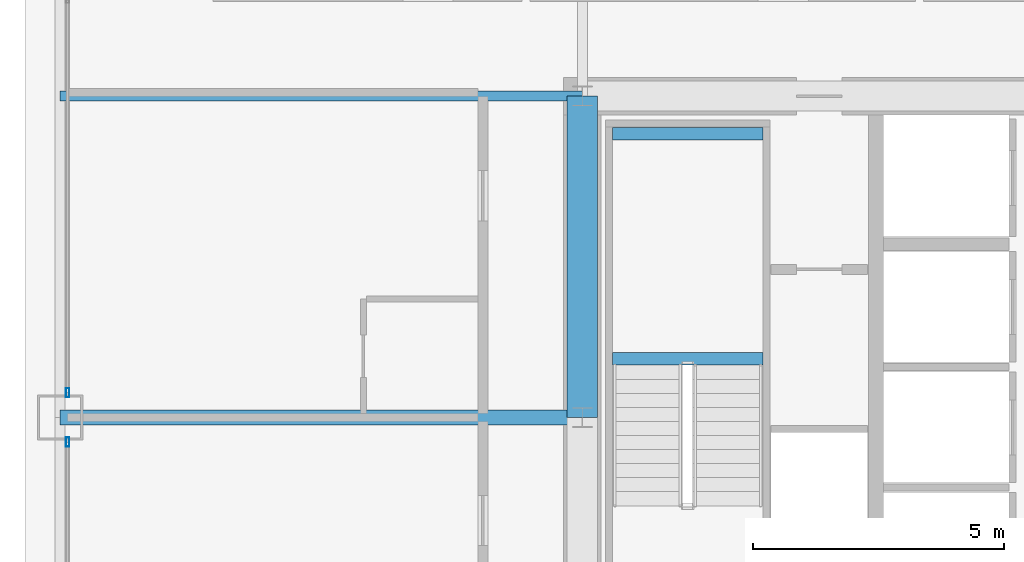
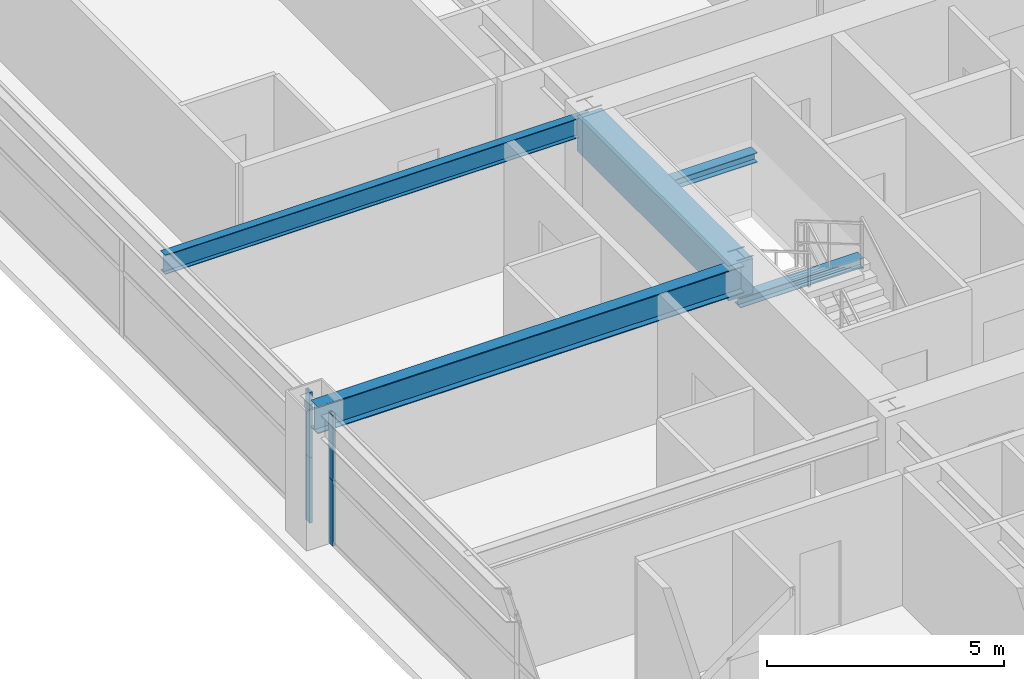
# One storey, part 12 of 43: 5 beams, 4 members, 2 elements without a shape of their own.
"""IFC4 building model written with IfcOpenShell, lengths in metres."""

from ifc_helpers import new_model, si_unit, direction, frame, origin, origin_2d, place, context, subcontext, project, spatial, rectangle, hollow_rectangle, i_section, extrude, source, transform, mapped, material, layer, layer_set, material_profile, profile_set, type_object, element, aggregate, save


model = new_model("IFC4")

# Units and contexts
model_context = context("Model", 3, precision=1e-05, world=origin(), true_north=direction((0.0, 1.0)))
body_context = subcontext(model_context, "Body", "Model", "MODEL_VIEW")
ifc_project = project(units=[si_unit("LENGTHUNIT", "METRE"), si_unit("AREAUNIT", "SQUARE_METRE"), si_unit("VOLUMEUNIT", "CUBIC_METRE"), si_unit("PLANEANGLEUNIT", "RADIAN"), si_unit("MASSUNIT", "GRAM", prefix="KILO"), si_unit("THERMODYNAMICTEMPERATUREUNIT", "KELVIN"), si_unit("POWERUNIT", "WATT")], contexts=[model_context])

# Site, building, storey
site_placement = place(None, origin())
site = spatial("IfcSite", under=ifc_project, at=site_placement, CompositionType="ELEMENT")
building_placement = place(site_placement, origin())
building = spatial("IfcBuilding", under=site, at=building_placement, Name="Yuzanri Waterfront Tower", CompositionType="ELEMENT")
storey_placement = place(building_placement, frame((0.0, 0.0, 159.60009765625)))
storey = spatial("IfcBuildingStorey", under=building, at=storey_placement, Name="L42", CompositionType="ELEMENT", Elevation=159.60009765625)

# Beams
ifc_material_1 = material(Name="Concrete C60", Category="concrete")
ifc_material_profile_1 = material_profile(ifc_material_1, rectangle(XDim=0.60009765625, YDim=0.89990234375, at=origin_2d()), Name="RC 600x900")
ifc_profile_set_1 = profile_set([ifc_material_profile_1], Name="Concrete C60")
beam_type_1 = type_object("IfcBeamType", Name="Core Coupling Lintel Concrete C60 600x900", PredefinedType="LINTEL", material=ifc_profile_set_1)
shared_shape_1 = source(origin(), body_context, "Body", "SweptSolid", [
    extrude(rectangle(XDim=0.60009765625, YDim=0.89990234375, at=origin_2d()), origin(), (0.0, 0.0, 1.0), 6.39990234375),
])
beam_1_placement = place(storey_placement, frame((23.800048828125, 25.800048828125, 2.929931640625), z_axis=(0.0, 1.0, 0.0), x_axis=(-1.0, 0.0, 0.0)))
element("IfcBeam", 1, at=beam_1_placement, inside=storey, type_object=beam_type_1, Name="L42 Core Tie Beam CW2", PredefinedType="LINTEL", context=body_context, shape_type="MappedRepresentation", body=[
    mapped(shared_shape_1, transform((0.0, 0.0, 0.0), scale=1.0)),
])
ifc_material_2 = material(Name="Steel Q355B", Category="steel")
ifc_material_profile_2 = material_profile(ifc_material_2, i_section(OverallWidth=0.300048828125, OverallDepth=0.699951171875, WebThickness=0.012939453125, FlangeThickness=0.02392578125, at=origin_2d()), Name="HN 700x300x13x24")
ifc_profile_set_2 = profile_set([ifc_material_profile_2], Name="Steel Q355B")
beam_type_2 = type_object("IfcBeamType", Name="Primary Floor Girder Q355B HN 700x300", PredefinedType="BEAM", material=ifc_profile_set_2)
shared_shape_2 = source(origin(), body_context, "Body", "SweptSolid", [
    extrude(i_section(OverallWidth=0.300048828125, OverallDepth=0.699951171875, WebThickness=0.012939453125, FlangeThickness=0.02392578125, at=origin_2d()), origin(), (0.0, 0.0, 1.0), 10.400146484375),
])
beam_2_placement = place(storey_placement, frame((23.800048828125, 25.800048828125, 3.02978515625), z_axis=(-1.0, 0.0, 0.0), x_axis=(0.0, -1.0, 0.0)))
element("IfcBeam", 2, at=beam_2_placement, inside=storey, type_object=beam_type_2, Name="L42 West Grid Girder", PredefinedType="BEAM", context=body_context, shape_type="MappedRepresentation", body=[
    mapped(shared_shape_2, transform((0.0, 0.0, 0.0), scale=1.0)),
])
ifc_material_3 = material(Name="Steel Q355B", Category="steel")
ifc_material_profile_3 = material_profile(ifc_material_3, i_section(OverallWidth=0.199951171875, OverallDepth=0.5, WebThickness=0.010009765625, FlangeThickness=0.01611328125, at=origin_2d()), Name="HN 500x200x10x16")
ifc_profile_set_3 = profile_set([ifc_material_profile_3], Name="Steel Q355B")
beam_type_3 = type_object("IfcBeamType", Name="Secondary Floor Beam Q355B HN 500x200", PredefinedType="BEAM", material=ifc_profile_set_3)
shared_shape_3 = source(origin(), body_context, "Body", "SweptSolid", [
    extrude(i_section(OverallWidth=0.199951171875, OverallDepth=0.5, WebThickness=0.010009765625, FlangeThickness=0.01611328125, at=origin_2d()), origin(), (0.0, 0.0, 1.0), 10.400146484375),
])
beam_3_placement = place(storey_placement, frame((23.800048828125, 32.199951171875, 3.1298828125), z_axis=(-1.0, 0.0, 0.0), x_axis=(0.0, -1.0, 0.0)))
element("IfcBeam", 3, at=beam_3_placement, inside=storey, type_object=beam_type_3, Name="L42 West-North Core Line Beam", PredefinedType="BEAM", context=body_context, shape_type="MappedRepresentation", body=[
    mapped(shared_shape_3, transform((0.0, 0.0, 0.0), scale=1.0)),
])

# Curtain wall, members
ifc_material_4 = material(Name="Anodized Architectural Bronze", Category="metal")
ifc_layer = layer(ifc_material_4, 0.159912109375)
ifc_layer_set = layer_set([ifc_layer], Name="Anodized Architectural Bronze")
curtain_wall_type = type_object("IfcCurtainWallType", Name="Anodized Bronze Hotel Upper-Tier Solar-Control Unitized Curtain Wall 7800", PredefinedType="NOTDEFINED", material=ifc_layer_set)
curtain_wall_1_placement = place(storey_placement, origin())
curtain_wall_1 = element("IfcCurtainWall", 4, at=curtain_wall_1_placement, inside=storey, type_object=curtain_wall_type, Name="L42 Curtain Wall CW-L42-WL", PredefinedType="NOTDEFINED")
ifc_material_5 = material(Name="Anodized Architectural Bronze", Category="metal")
ifc_material_profile_4 = material_profile(ifc_material_5, hollow_rectangle(XDim=0.070068359375, YDim=0.179931640625, WallThickness=0.00390625, at=origin_2d()), Name="CWM 70x180")
ifc_profile_set_4 = profile_set([ifc_material_profile_4], Name="Anodized Architectural Bronze")
member_type = type_object("IfcMemberType", Name="Anodized Bronze Standard Curtain-Wall Mullion 70x180", PredefinedType="MULLION", material=ifc_profile_set_4)
shared_shape_4 = source(origin(), body_context, "Body", "SweptSolid", [
    extrude(hollow_rectangle(XDim=0.070068359375, YDim=0.179931640625, WallThickness=0.00390625, at=origin_2d()), origin(), (0.0, 0.0, 1.0), 1.68798828125),
])
member_1_placement = place(storey_placement, frame((13.550048828125, 25.31005859375, 0.0), z_axis=(0.0, 0.0, 1.0), x_axis=(1.0, 0.0, 0.0)))
member_1 = element("IfcMember", 5, at=member_1_placement, type_object=member_type, Name="CW-L42-WL Lower Mullion 02", PredefinedType="MULLION", context=body_context, shape_type="MappedRepresentation", body=[
    mapped(shared_shape_4, transform((0.0, 0.0, 0.0), scale=1.0)),
])
member_2_placement = place(storey_placement, frame((13.550048828125, 25.31005859375, 1.69189453125), z_axis=(0.0, 0.0, 1.0), x_axis=(1.0, 0.0, 0.0)))
member_2 = element("IfcMember", 6, at=member_2_placement, type_object=member_type, Name="CW-L42-WL Upper Mullion 02", PredefinedType="MULLION", context=body_context, shape_type="MappedRepresentation", body=[
    mapped(shared_shape_4, transform((0.0, 0.0, 0.0), scale=1.0)),
])
aggregate(curtain_wall_1, [member_1, member_2])

curtain_wall_2_placement = place(storey_placement, origin())
curtain_wall_2 = element("IfcCurtainWall", 7, at=curtain_wall_2_placement, inside=storey, type_object=curtain_wall_type, Name="L42 Curtain Wall CW-L42-WR", PredefinedType="NOTDEFINED")
member_3_placement = place(storey_placement, frame((13.550048828125, 26.2900390625, 0.0), z_axis=(0.0, 0.0, 1.0), x_axis=(1.0, 0.0, 0.0)))
member_3 = element("IfcMember", 8, at=member_3_placement, type_object=member_type, Name="CW-L42-WR Lower Mullion 00", PredefinedType="MULLION", context=body_context, shape_type="MappedRepresentation", body=[
    mapped(shared_shape_4, transform((0.0, 0.0, 0.0), scale=1.0)),
])
member_4_placement = place(storey_placement, frame((13.550048828125, 26.2900390625, 1.69189453125), z_axis=(0.0, 0.0, 1.0), x_axis=(1.0, 0.0, 0.0)))
member_4 = element("IfcMember", 9, at=member_4_placement, type_object=member_type, Name="CW-L42-WR Upper Mullion 00", PredefinedType="MULLION", context=body_context, shape_type="MappedRepresentation", body=[
    mapped(shared_shape_4, transform((0.0, 0.0, 0.0), scale=1.0)),
])
aggregate(curtain_wall_2, [member_3, member_4])

# Beams
ifc_material_6 = material(Name="Steel Q355B", Category="steel")
ifc_material_profile_5 = material_profile(ifc_material_6, i_section(OverallWidth=0.25, OverallDepth=0.25, WebThickness=0.009033203125, FlangeThickness=0.013916015625, at=origin_2d()), Name="HW 250x250x9x14")
ifc_profile_set_5 = profile_set([ifc_material_profile_5], Name="Steel Q355B")
beam_type_4 = type_object("IfcBeamType", Name="Stair Landing Support Beam Q355B HW 250x250", PredefinedType="BEAM", material=ifc_profile_set_5)
shared_shape_5 = source(origin(), body_context, "Body", "SweptSolid", [
    extrude(i_section(OverallWidth=0.25, OverallDepth=0.25, WebThickness=0.009033203125, FlangeThickness=0.013916015625, at=origin_2d()), origin(), (0.0, 0.0, 1.0), 3.0),
])
for number, where, z_axis, x_axis, name in (
    (10, (24.39990234375, 26.969970703125, 1.474853515625), (1.0, 0.0, 0.0), (0.0, 1.0, 0.0), "L42 Stair Landing Support Beam ST-01-L42-L1-1"),
    (11, (24.39990234375, 31.449951171875, 1.474853515625), (1.0, 0.0, 0.0), (0.0, 1.0, 0.0), "L42 Stair Landing Support Beam ST-01-L42-L1-2"),
):
    element("IfcBeam", number, at=place(storey_placement, frame(where, z_axis=z_axis, x_axis=x_axis)), inside=storey, type_object=beam_type_4, Name=name, PredefinedType="BEAM", context=body_context, shape_type="MappedRepresentation", body=[
        mapped(shared_shape_5, transform((0.0, 0.0, 0.0), scale=1.0)),
    ])

save(model, "model.ifc")
